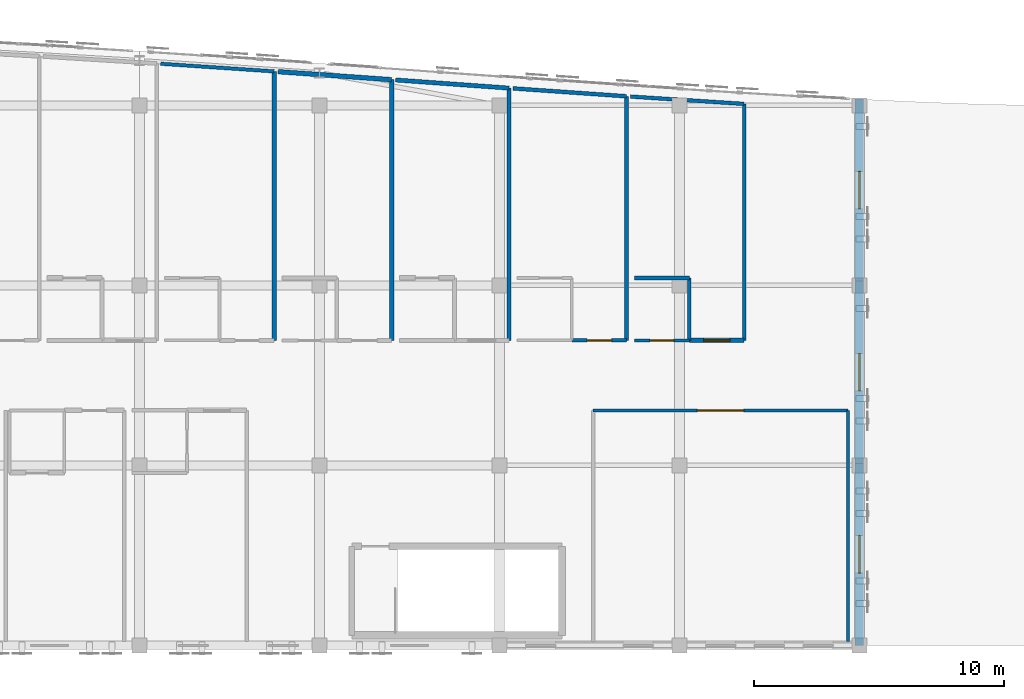
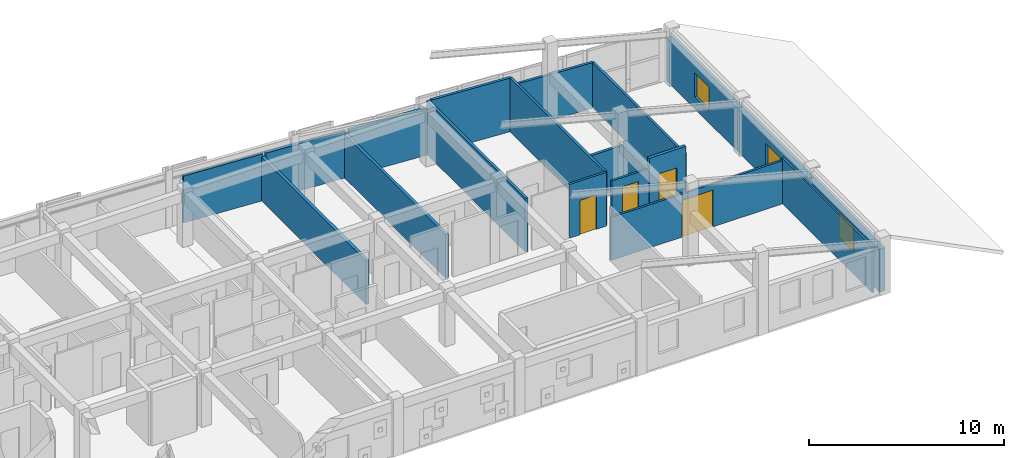
# One storey, part 41 of 45: 20 walls, 4 doors, 3 windows, 7 openings.
"""IFC4 building model written with IfcOpenShell, lengths in metres."""

import ifcopenshell
import ifcopenshell.guid

model = None  # the IFC model being written
_history = None  # IfcOwnerHistory: only IFC2X3 demands one
_inside = {}  # id of a spatial element -> (the spatial element, [elements in it])
_under = {}  # id of a project, library or spatial element -> (it, [spatial elements below it])
_declared = {}  # id of a project -> (the project, [libraries it declares])
_typed = {}  # id of a type object -> (the type object, [elements of that type])
_made_of = {}  # id of a material, layer set ... -> (it, [elements and type objects made of it])


def new_model(schema):
    """Start an empty IFC model of exactly this schema.

    Asked for "IFC4X3", IfcOpenShell would pick the latest addendum, in which some entities
    have other attributes; the version numbers below select the first issue.
    IFC2X3 requires an IfcOwnerHistory on every rooted entity: one is made here for all.
    """
    global model, _history
    if schema == "IFC4X3":
        model = ifcopenshell.file(schema_version=(4, 3, 0, 0))
    else:
        model = ifcopenshell.file(schema=schema)
    _inside.clear()
    _under.clear()
    _declared.clear()
    _typed.clear()
    _made_of.clear()
    _history = None
    if model.schema == "IFC2X3":
        org = make("IfcOrganization", Name="unknown")
        user = make(
            "IfcPersonAndOrganization",
            ThePerson=make("IfcPerson", FamilyName="unknown"),
            TheOrganization=org,
        )
        app = make(
            "IfcApplication",
            ApplicationDeveloper=org,
            Version="unknown",
            ApplicationFullName="unknown",
            ApplicationIdentifier="unknown",
        )
        _history = make(
            "IfcOwnerHistory",
            OwningUser=user,
            OwningApplication=app,
            ChangeAction="ADDED",
            CreationDate=0,
        )
    return model


def make(cls, **values):
    """One entity of the class cls with the attributes given. An attribute that is None is left unset."""
    return model.create_entity(
        cls, **{name: value for name, value in values.items() if value is not None}
    )


def rooted(cls, **values):
    """An entity with a GlobalId (a new one), such as an element, a storey or a relation."""
    return make(cls, GlobalId=ifcopenshell.guid.new(), OwnerHistory=_history, **values)


def si_unit(unit_type, name, prefix=None):
    """IfcSIUnit, for example si_unit("LENGTHUNIT", "METRE", prefix="MILLI")."""
    return make("IfcSIUnit", UnitType=unit_type, Prefix=prefix, Name=name)


def assignment(units):
    """IfcUnitAssignment: the units of a project."""
    return None if units is None else make("IfcUnitAssignment", Units=units)


def point(xyz):
    """IfcCartesianPoint."""
    return None if xyz is None else make("IfcCartesianPoint", Coordinates=xyz)


def direction(xyz):
    """IfcDirection."""
    return None if xyz is None else make("IfcDirection", DirectionRatios=xyz)


def frame(location, z_axis=None, x_axis=None):
    """IfcAxis2Placement3D, a coordinate frame: its origin and axes. An axis left out is left unset."""
    return make(
        "IfcAxis2Placement3D",
        Location=point(location),
        Axis=direction(z_axis),
        RefDirection=direction(x_axis),
    )


def frame_2d(location, x_axis=None):
    """IfcAxis2Placement2D, a coordinate frame in the plane: its origin and x axis."""
    return make(
        "IfcAxis2Placement2D", Location=point(location), RefDirection=direction(x_axis)
    )


def origin():
    """The frame at (0, 0, 0) with its axes left unset."""
    return frame((0.0, 0.0, 0.0))


def place(relative_to, where):
    """IfcLocalPlacement: puts the frame where relative to a parent placement (None: the world)."""
    return make(
        "IfcLocalPlacement", PlacementRelTo=relative_to, RelativePlacement=where
    )


def context(
    kind, dimensions, precision=None, world=None, true_north=None, identifier=None
):
    """IfcGeometricRepresentationContext, for example the 3D "Model" context."""
    return make(
        "IfcGeometricRepresentationContext",
        ContextIdentifier=identifier,
        ContextType=kind,
        CoordinateSpaceDimension=dimensions,
        Precision=precision,
        WorldCoordinateSystem=world,
        TrueNorth=true_north,
    )


def subcontext(parent, identifier, kind, view, scale=None):
    """IfcGeometricRepresentationSubContext, for example "Body" below "Model"."""
    return make(
        "IfcGeometricRepresentationSubContext",
        ContextIdentifier=identifier,
        ContextType=kind,
        ParentContext=parent,
        TargetScale=scale,
        TargetView=view,
    )


def project(units=None, contexts=None):
    """IfcProject with its units and contexts."""
    return rooted(
        "IfcProject",
        Name="project",
        RepresentationContexts=contexts,
        UnitsInContext=assignment(units),
    )


def spatial(cls, under=None, at=None, **own):
    """A site, building, storey or space (cls), placed at a placement, below another one or the project."""
    s = rooted(cls, ObjectPlacement=at, **own)
    if under is not None:
        _under.setdefault(under.id(), (under, []))[1].append(s)
    return s


def profile(cls, at=None, kind="AREA", **sizes):
    """A parametric profile (cls). Its sizes go by their IFC names, for example OverallWidth=200.0."""
    return make(cls, ProfileType=kind, Position=at, **sizes)


def rectangle(**sizes):
    """IfcRectangleProfileDef."""
    return profile("IfcRectangleProfileDef", **sizes)


def extrude(swept, where, along, depth):
    """IfcExtrudedAreaSolid: the profile swept, set in the frame where, extruded along a direction by depth."""
    return make(
        "IfcExtrudedAreaSolid",
        SweptArea=swept,
        Position=where,
        ExtrudedDirection=direction(along),
        Depth=depth,
    )


def shape(context_of_items, identifier, shape_type, items):
    """IfcShapeRepresentation: the items that make up one representation, for example the "Body"."""
    return make(
        "IfcShapeRepresentation",
        ContextOfItems=context_of_items,
        RepresentationIdentifier=identifier,
        RepresentationType=shape_type,
        Items=items,
    )


def material(Name=None, Category=None):
    """IfcMaterial."""
    return make("IfcMaterial", Name=Name, Category=Category)


def layer(
    of_material, thickness, ventilated=None, Name=None, Category=None, Priority=None
):
    """IfcMaterialLayer: one layer of a wall or slab, of a material (None: an air gap)."""
    return make(
        "IfcMaterialLayer",
        Material=of_material,
        LayerThickness=thickness,
        IsVentilated=ventilated,
        Name=Name,
        Category=Category,
        Priority=Priority,
    )


def layer_set(layers, Name=None):
    """IfcMaterialLayerSet."""
    return make("IfcMaterialLayerSet", MaterialLayers=layers, LayerSetName=Name)


def made_of(thing, what):
    """Note that an element or type object is made of a material, layer set ...; save() writes the relation."""
    if what is not None:
        _made_of.setdefault(what.id(), (what, []))[1].append(thing)
    return thing


def type_object(cls, material=None, **own):
    """A type object (cls), such as IfcWallType, which elements share."""
    return made_of(rooted(cls, **own), material)


def element(
    cls,
    number,
    at=None,
    inside=None,
    cuts=None,
    type_object=None,
    material=None,
    context=None,
    identifier="Body",
    shape_type=None,
    held_by="IfcProductDefinitionShape",
    body=None,
    shapes=None,
    **own,
):
    """One element of the class cls, such as IfcWall. Its Tag is "e" and its number.

    at: its placement. inside: the storey or other place that contains it. cuts: it is an
    opening in that element (IfcRelVoidsElement). A single representation is given by context,
    identifier, shape_type and body (its items); several are given by shapes. held_by: the class
    of the entity that holds the representations. save() writes the other relations.
    """
    e = rooted(cls, Tag="e%d" % number, ObjectPlacement=at, **own)
    if body is not None:
        shapes = [shape(context, identifier, shape_type, body)]
    if shapes is not None:
        e.Representation = make(held_by, Representations=shapes)
    if inside is not None:
        _inside.setdefault(inside.id(), (inside, []))[1].append(e)
    if cuts is not None:
        rooted(
            "IfcRelVoidsElement", RelatingBuildingElement=cuts, RelatedOpeningElement=e
        )
    if type_object is not None:
        _typed.setdefault(type_object.id(), (type_object, []))[1].append(e)
    return made_of(e, material)


def fill(opening, filler):
    """IfcRelFillsElement: the door or window that sits in an opening."""
    return rooted(
        "IfcRelFillsElement",
        RelatingOpeningElement=opening,
        RelatedBuildingElement=filler,
    )


def aggregate(whole, parts):
    """IfcRelAggregates: a whole, such as a stair, and the parts it consists of."""
    return rooted("IfcRelAggregates", RelatingObject=whole, RelatedObjects=parts)


def save(model, path):
    """Write the relations noted so far, then the file.

    IfcRelAggregates (storeys below a building ...), IfcRelContainedInSpatialStructure (elements
    in a storey), IfcRelDefinesByType, IfcRelAssociatesMaterial and IfcRelDeclares: one each for
    every whole, place, type object, material and project.
    """
    for whole, parts in _under.values():
        aggregate(whole, parts)
    for where, things in _inside.values():
        rooted(
            "IfcRelContainedInSpatialStructure",
            RelatedElements=things,
            RelatingStructure=where,
        )
    for kind, things in _typed.values():
        rooted("IfcRelDefinesByType", RelatedObjects=things, RelatingType=kind)
    for what, things in _made_of.values():
        rooted("IfcRelAssociatesMaterial", RelatedObjects=things, RelatingMaterial=what)
    for by, libraries in _declared.values():
        rooted("IfcRelDeclares", RelatingContext=by, RelatedDefinitions=libraries)
    model.write(path)


model = new_model("IFC4")

# Units and contexts
model_context = context("Model", 3, precision=1e-05, world=origin(), true_north=direction((0.0, 1.0)))
body_context = subcontext(model_context, "Body", "Model", "MODEL_VIEW")
ifc_project = project(units=[si_unit("LENGTHUNIT", "METRE"), si_unit("AREAUNIT", "SQUARE_METRE"), si_unit("VOLUMEUNIT", "CUBIC_METRE"), si_unit("PLANEANGLEUNIT", "RADIAN"), si_unit("MASSUNIT", "GRAM", prefix="KILO")], contexts=[model_context])

# Site, building, storey
site_placement = place(None, origin())
site = spatial("IfcSite", under=ifc_project, at=site_placement, CompositionType="ELEMENT")
building_placement = place(site_placement, origin())
building = spatial("IfcBuilding", under=site, at=building_placement, Name="Carrowvane Square Congress Hotel", CompositionType="ELEMENT")
storey_placement = place(building_placement, frame((0.0, 0.0, 33.60009765625)))
storey = spatial("IfcBuildingStorey", under=building, at=storey_placement, Name="L08", CompositionType="ELEMENT", Elevation=33.60009765625)

# Wall, opening, window
ifc_material_1 = material(Name="Glazed terracotta rainscreen", Category="masonry")
ifc_layer_1 = layer(ifc_material_1, 0.330078125)
ifc_layer_set_1 = layer_set([ifc_layer_1], Name="Glazed terracotta rainscreen")
wall_type_1 = type_object("IfcWallType", Name="WL-EXT-TC330", PredefinedType="STANDARD", material=ifc_layer_set_1)
wall_1_placement = place(storey_placement, frame((155.60009765625, 113.65283203125, 0.0), z_axis=(0.0, 0.0, 1.0), x_axis=(0.0, -1.0, 0.0)))
wall_1 = element("IfcWall", 1, at=wall_1_placement, inside=storey, type_object=wall_type_1, Name="L08 exterior facade wall 537", PredefinedType="STANDARD", context=body_context, shape_type="SweptSolid", body=[
    extrude(rectangle(XDim=7.284423828125, YDim=0.330078125, at=frame_2d((3.64208984375, 0.0))), origin(), (0.0, 0.0, 1.0), 2.69482421875),
])
opening_1_placement = place(wall_1_placement, frame((2.89208984375, 0.0, 0.75)))
opening_1 = element("IfcOpeningElement", 2, at=opening_1_placement, cuts=wall_1, Name="Opening W-15", PredefinedType="OPENING", context=body_context, shape_type="SweptSolid", body=[
    extrude(rectangle(XDim=1.5, YDim=1.5, at=frame_2d((0.75, 0.75))), frame((0.0, 0.175048828125, 0.0), z_axis=(0.0, -1.0, 0.0), x_axis=(1.0, 0.0, 0.0)), (0.0, 0.0, 1.0), 0.35009765625),
])
ifc_material_2 = material(Name="Double-glazed low-E glass", Category="glass")
window_type = type_object("IfcWindowType", Name="WIN-15", PartitioningType="SINGLE_PANEL", PredefinedType="WINDOW", material=ifc_material_2)
window_1_placement = place(opening_1_placement, origin())
window_1 = element("IfcWindow", 3, at=window_1_placement, inside=storey, type_object=window_type, Name="L08 facade window 374", OverallHeight=1.5, OverallWidth=1.5, PartitioningType="SINGLE_PANEL", PredefinedType="WINDOW", context=body_context, shape_type="SweptSolid", body=[
    extrude(rectangle(XDim=1.5, YDim=1.5, at=frame_2d((0.75, 0.75))), frame((0.0, 0.030029296875, 0.0), z_axis=(0.0, -1.0, 0.0), x_axis=(1.0, 0.0, 0.0)), (0.0, 0.0, 1.0), 0.06005859375),
])
fill(opening_1, window_1)

wall_2_placement = place(storey_placement, frame((155.60009765625, 106.368408203125, 0.0), z_axis=(0.0, 0.0, 1.0), x_axis=(0.0, -1.0, 0.0)))
wall_2 = element("IfcWall", 4, at=wall_2_placement, inside=storey, type_object=wall_type_1, Name="L08 exterior facade wall 538", PredefinedType="STANDARD", context=body_context, shape_type="SweptSolid", body=[
    extrude(rectangle(XDim=7.2841796875, YDim=0.330078125, at=frame_2d((3.64208984375, 0.0))), origin(), (0.0, 0.0, 1.0), 2.69482421875),
])
opening_2_placement = place(wall_2_placement, frame((2.89208984375, 0.0, 0.75)))
opening_2 = element("IfcOpeningElement", 5, at=opening_2_placement, cuts=wall_2, Name="Opening W-15", PredefinedType="OPENING", context=body_context, shape_type="SweptSolid", body=[
    extrude(rectangle(XDim=1.5, YDim=1.5, at=frame_2d((0.75, 0.75))), frame((0.0, 0.175048828125, 0.0), z_axis=(0.0, -1.0, 0.0), x_axis=(1.0, 0.0, 0.0)), (0.0, 0.0, 1.0), 0.35009765625),
])
window_2_placement = place(opening_2_placement, origin())
window_2 = element("IfcWindow", 6, at=window_2_placement, inside=storey, type_object=window_type, Name="L08 facade window 375", OverallHeight=1.5, OverallWidth=1.5, PartitioningType="SINGLE_PANEL", PredefinedType="WINDOW", context=body_context, shape_type="SweptSolid", body=[
    extrude(rectangle(XDim=1.5, YDim=1.5, at=frame_2d((0.75, 0.75))), frame((0.0, 0.030029296875, 0.0), z_axis=(0.0, -1.0, 0.0), x_axis=(1.0, 0.0, 0.0)), (0.0, 0.0, 1.0), 0.06005859375),
])
fill(opening_2, window_2)

wall_3_placement = place(storey_placement, frame((155.60009765625, 99.084228515625, 0.0), z_axis=(0.0, 0.0, 1.0), x_axis=(0.0, -1.0, 0.0)))
wall_3 = element("IfcWall", 7, at=wall_3_placement, inside=storey, type_object=wall_type_1, Name="L08 exterior facade wall 539", PredefinedType="STANDARD", context=body_context, shape_type="SweptSolid", body=[
    extrude(rectangle(XDim=7.2841796875, YDim=0.330078125, at=frame_2d((3.64208984375, 0.0))), origin(), (0.0, 0.0, 1.0), 2.69482421875),
])
opening_3_placement = place(wall_3_placement, frame((2.89208984375, 0.0, 0.75)))
opening_3 = element("IfcOpeningElement", 8, at=opening_3_placement, cuts=wall_3, Name="Opening W-15", PredefinedType="OPENING", context=body_context, shape_type="SweptSolid", body=[
    extrude(rectangle(XDim=1.5, YDim=1.5, at=frame_2d((0.75, 0.75))), frame((0.0, 0.175048828125, 0.0), z_axis=(0.0, -1.0, 0.0), x_axis=(1.0, 0.0, 0.0)), (0.0, 0.0, 1.0), 0.35009765625),
])
window_3_placement = place(opening_3_placement, origin())
window_3 = element("IfcWindow", 9, at=window_3_placement, inside=storey, type_object=window_type, Name="L08 facade window 376", OverallHeight=1.5, OverallWidth=1.5, PartitioningType="SINGLE_PANEL", PredefinedType="WINDOW", context=body_context, shape_type="SweptSolid", body=[
    extrude(rectangle(XDim=1.5, YDim=1.5, at=frame_2d((0.75, 0.75))), frame((0.0, 0.030029296875, 0.0), z_axis=(0.0, -1.0, 0.0), x_axis=(1.0, 0.0, 0.0)), (0.0, 0.0, 1.0), 0.06005859375),
])
fill(opening_3, window_3)

# Walls
ifc_material_3 = material(Name="Acoustic gypsum board", Category="gypsum")
ifc_layer_2 = layer(ifc_material_3, 0.155029296875)
ifc_layer_set_2 = layer_set([ifc_layer_2], Name="Acoustic gypsum board")
wall_type_2 = type_object("IfcWallType", Name="WL-FIR-155", PredefinedType="PARTITIONING", material=ifc_layer_set_2)
wall_4_placement = place(storey_placement, frame((141.590087890625, 114.09375, 0.0), z_axis=(0.0, 0.0, 1.0), x_axis=(0.0, -1.0, 0.0)))
element("IfcWall", 10, at=wall_4_placement, inside=storey, type_object=wall_type_2, Name="L08 Parkview Guest Bedroom 0825 partition", PredefinedType="PARTITIONING", context=body_context, shape_type="SweptSolid", body=[
    extrude(rectangle(XDim=10.09375, YDim=0.155029296875, at=frame_2d((5.046875, 0.0))), origin(), (0.0, 0.0, 1.0), 3.35986328125),
])
wall_5_placement = place(storey_placement, frame((141.75, 114.082275390625, 0.0), z_axis=(0.0, 0.0, 1.0), x_axis=(0.997584014239, -0.069470386021, 0.0)))
element("IfcWall", 11, at=wall_5_placement, inside=storey, type_object=wall_type_2, Name="L08 Parkview Guest Bedroom 0826 partition", PredefinedType="PARTITIONING", context=body_context, shape_type="SweptSolid", body=[
    extrude(rectangle(XDim=4.551025390625, YDim=0.155029296875, at=frame_2d((2.275390625, 0.0))), origin(), (0.0, 0.0, 1.0), 3.35986328125),
])
ifc_material_4 = material(Name="Acoustic gypsum board", Category="gypsum")
ifc_layer_3 = layer(ifc_material_4, 0.169921875)
ifc_layer_set_3 = layer_set([ifc_layer_3], Name="Acoustic gypsum board")
wall_type_3 = type_object("IfcWallType", Name="WL-FIR-170", PredefinedType="PARTITIONING", material=ifc_layer_set_3)
wall_6_placement = place(storey_placement, frame((136.889892578125, 114.43017578125, 0.0), z_axis=(0.0, 0.0, 1.0), x_axis=(0.0, -1.0, 0.0)))
element("IfcWall", 12, at=wall_6_placement, inside=storey, type_object=wall_type_3, Name="L08 Parkview Guest Bedroom 0824 partition", PredefinedType="PARTITIONING", context=body_context, shape_type="SweptSolid", body=[
    extrude(rectangle(XDim=10.43017578125, YDim=0.169921875, at=frame_2d((5.215087890625, 0.0))), origin(), (0.0, 0.0, 1.0), 2.744873046875),
])
wall_7_placement = place(storey_placement, frame((137.050048828125, 114.418701171875, 0.0), z_axis=(0.0, 0.0, 1.0), x_axis=(0.997448342938, -0.071391898497, 0.0)))
element("IfcWall", 13, at=wall_7_placement, inside=storey, type_object=wall_type_3, Name="L08 Parkview Guest Bedroom 0825 partition", PredefinedType="PARTITIONING", context=body_context, shape_type="SweptSolid", body=[
    extrude(rectangle(XDim=4.5517578125, YDim=0.169921875, at=frame_2d((2.27587890625, 0.0))), origin(), (0.0, 0.0, 1.0), 2.935546875),
])
ifc_material_5 = material(Name="Acoustic gypsum board", Category="gypsum")
ifc_layer_4 = layer(ifc_material_5, 0.18505859375)
ifc_layer_set_4 = layer_set([ifc_layer_4], Name="Acoustic gypsum board")
wall_type_4 = type_object("IfcWallType", Name="WL-FIR-185", PredefinedType="PARTITIONING", material=ifc_layer_set_4)
wall_8_placement = place(storey_placement, frame((132.18994140625, 114.762451171875, 0.0), z_axis=(0.0, 0.0, 1.0), x_axis=(0.0, -1.0, 0.0)))
element("IfcWall", 14, at=wall_8_placement, inside=storey, type_object=wall_type_4, Name="L08 Parkview Guest Bedroom 0823 partition", PredefinedType="PARTITIONING", context=body_context, shape_type="SweptSolid", body=[
    extrude(rectangle(XDim=10.762451171875, YDim=0.18505859375, at=frame_2d((5.38134765625, 0.0))), origin(), (0.0, 0.0, 1.0), 2.744873046875),
])
wall_9_placement = place(storey_placement, frame((132.35009765625, 114.751220703125, 0.0), z_axis=(0.0, 0.0, 1.0), x_axis=(0.997508826773, -0.070541764303, 0.0)))
element("IfcWall", 15, at=wall_9_placement, inside=storey, type_object=wall_type_4, Name="L08 Parkview Guest Bedroom 0824 partition", PredefinedType="PARTITIONING", context=body_context, shape_type="SweptSolid", body=[
    extrude(rectangle(XDim=4.551025390625, YDim=0.18505859375, at=frame_2d((2.275390625, 0.0))), origin(), (0.0, 0.0, 1.0), 2.935546875),
])

# Wall, opening, door
wall_10_placement = place(storey_placement, frame((150.989990234375, 104.0, 0.0), z_axis=(0.0, 0.0, 1.0), x_axis=(-1.0, 0.0, 0.0)))
wall_10 = element("IfcWall", 16, at=wall_10_placement, inside=storey, type_object=wall_type_4, Name="L08 Parkview Guest Bedroom 0827 partition", PredefinedType="PARTITIONING", context=body_context, shape_type="SweptSolid", body=[
    extrude(rectangle(XDim=2.179931640625, YDim=0.18505859375, at=frame_2d((1.08984375, 0.0))), origin(), (0.0, 0.0, 1.0), 3.35986328125),
])
opening_4_placement = place(wall_10_placement, frame((0.56005859375, 0.0, 0.0)))
opening_4 = element("IfcOpeningElement", 17, at=opening_4_placement, cuts=wall_10, Name="Opening FD-09", PredefinedType="OPENING", context=body_context, shape_type="SweptSolid", body=[
    extrude(rectangle(XDim=1.06005859375, YDim=2.199951171875, at=frame_2d((0.530029296875, 1.10009765625))), frame((0.0, 0.1025390625, 0.0), z_axis=(0.0, -1.0, 0.0), x_axis=(1.0, 0.0, 0.0)), (0.0, 0.0, 1.0), 0.205078125),
])
ifc_material_6 = material(Name="European oak timber", Category="wood")
door_type_1 = type_object("IfcDoorType", Name="DR-FD30-1060x2200", OperationType="NOTDEFINED", PredefinedType="DOOR", material=ifc_material_6)
door_1_placement = place(opening_4_placement, origin())
door_1 = element("IfcDoor", 18, at=door_1_placement, inside=storey, type_object=door_type_1, Name="L08 Parkview Guest Bedroom 0827 entrance door", OperationType="SINGLE_SWING_RIGHT", OverallHeight=2.199951171875, OverallWidth=1.06005859375, PredefinedType="DOOR", context=body_context, shape_type="SweptSolid", body=[
    extrude(rectangle(XDim=1.06005859375, YDim=2.199951171875, at=frame_2d((0.530029296875, 1.10009765625))), frame((0.0, 0.02490234375, 0.0), z_axis=(0.0, -1.0, 0.0), x_axis=(1.0, 0.0, 0.0)), (0.0, 0.0, 1.0), 0.050048828125),
])
fill(opening_4, door_1)

# Wall
ifc_material_7 = material(Name="Acoustic gypsum board", Category="gypsum")
ifc_layer_5 = layer(ifc_material_7, 0.117919921875)
ifc_layer_set_5 = layer_set([ifc_layer_5], Name="Acoustic gypsum board")
wall_type_5 = type_object("IfcWallType", Name="WL-PRT-118", PredefinedType="PARTITIONING", material=ifc_layer_set_5)
wall_11_placement = place(storey_placement, frame((155.14990234375, 101.199951171875, 0.0), z_axis=(0.0, 0.0, 1.0), x_axis=(0.0, -1.0, 0.0)))
element("IfcWall", 19, at=wall_11_placement, inside=storey, type_object=wall_type_5, Name="L08 L08 East Terrace Lounge partition", PredefinedType="PARTITIONING", context=body_context, shape_type="SweptSolid", body=[
    extrude(rectangle(XDim=9.239990234375, YDim=0.117919921875, at=frame_2d((4.6201171875, 0.0))), origin(), (0.0, 0.0, 1.0), 2.860107421875),
])

# Wall, opening, door
ifc_material_8 = material(Name="Acoustic gypsum board", Category="gypsum")
ifc_layer_6 = layer(ifc_material_8, 0.1279296875)
ifc_layer_set_6 = layer_set([ifc_layer_6], Name="Acoustic gypsum board")
wall_type_6 = type_object("IfcWallType", Name="WL-PRT-128", PredefinedType="PARTITIONING", material=ifc_layer_set_6)
wall_12_placement = place(storey_placement, frame((144.949951171875, 101.199951171875, 0.0), z_axis=(0.0, 0.0, 1.0), x_axis=(1.0, 0.0, 0.0)))
wall_12 = element("IfcWall", 20, at=wall_12_placement, inside=storey, type_object=wall_type_6, Name="L08 L08 East Terrace Lounge partition", PredefinedType="PARTITIONING", context=body_context, shape_type="SweptSolid", body=[
    extrude(rectangle(XDim=10.199951171875, YDim=0.1279296875, at=frame_2d((5.10009765625, 0.0))), origin(), (0.0, 0.0, 1.0), 2.69482421875),
])
opening_5_placement = place(wall_12_placement, frame((4.175048828125, 0.0, 0.0)))
opening_5 = element("IfcOpeningElement", 21, at=opening_5_placement, cuts=wall_12, Name="Opening ID-13", PredefinedType="OPENING", context=body_context, shape_type="SweptSolid", body=[
    extrude(rectangle(XDim=1.85009765625, YDim=2.300048828125, at=frame_2d((0.925048828125, 1.14990234375))), frame((0.0, 0.073974609375, 0.0), z_axis=(0.0, -1.0, 0.0), x_axis=(1.0, 0.0, 0.0)), (0.0, 0.0, 1.0), 0.14794921875),
])
ifc_material_9 = material(Name="European oak timber", Category="wood")
door_type_2 = type_object("IfcDoorType", Name="DR-INT-1850x2300", OperationType="DOUBLE_DOOR_SINGLE_SWING", PredefinedType="DOOR", material=ifc_material_9)
door_2_placement = place(opening_5_placement, origin())
door_2 = element("IfcDoor", 22, at=door_2_placement, inside=storey, type_object=door_type_2, Name="L08 L08 East Terrace Lounge entrance door", OperationType="DOUBLE_DOOR_SINGLE_SWING", OverallHeight=2.300048828125, OverallWidth=1.85009765625, PredefinedType="DOOR", context=body_context, shape_type="SweptSolid", body=[
    extrude(rectangle(XDim=1.85009765625, YDim=2.300048828125, at=frame_2d((0.925048828125, 1.14990234375))), frame((0.0, 0.02490234375, 0.0), z_axis=(0.0, -1.0, 0.0), x_axis=(1.0, 0.0, 0.0)), (0.0, 0.0, 1.0), 0.050048828125),
])
fill(opening_5, door_2)

wall_13_placement = place(storey_placement, frame((148.800048828125, 104.0, 0.0), z_axis=(0.0, 0.0, 1.0), x_axis=(-1.0, 0.0, 0.0)))
wall_13 = element("IfcWall", 23, at=wall_13_placement, inside=storey, type_object=wall_type_6, Name="L08 En-suite Bathroom 0827 partition", PredefinedType="PARTITIONING", context=body_context, shape_type="SweptSolid", body=[
    extrude(rectangle(XDim=2.199951171875, YDim=0.1279296875, at=frame_2d((1.10009765625, 0.0))), origin(), (0.0, 0.0, 1.0), 2.69482421875),
])
opening_6_placement = place(wall_13_placement, frame((0.6298828125, 0.0, 0.0)))
opening_6 = element("IfcOpeningElement", 24, at=opening_6_placement, cuts=wall_13, Name="Opening ID-04", PredefinedType="OPENING", context=body_context, shape_type="SweptSolid", body=[
    extrude(rectangle(XDim=0.93994140625, YDim=2.1201171875, at=frame_2d((0.469970703125, 1.06005859375))), frame((0.0, 0.073974609375, 0.0), z_axis=(0.0, -1.0, 0.0), x_axis=(1.0, 0.0, 0.0)), (0.0, 0.0, 1.0), 0.14794921875),
])
ifc_material_10 = material(Name="European oak timber", Category="wood")
door_type_3 = type_object("IfcDoorType", Name="DR-INT-0940x2120", OperationType="NOTDEFINED", PredefinedType="DOOR", material=ifc_material_10)
door_3_placement = place(opening_6_placement, origin())
door_3 = element("IfcDoor", 25, at=door_3_placement, inside=storey, type_object=door_type_3, Name="L08 En-suite Bathroom 0827 door", OperationType="SINGLE_SWING_LEFT", OverallHeight=2.1201171875, OverallWidth=0.93994140625, PredefinedType="DOOR", context=body_context, shape_type="SweptSolid", body=[
    extrude(rectangle(XDim=0.93994140625, YDim=2.1201171875, at=frame_2d((0.469970703125, 1.06005859375))), frame((0.0, 0.02490234375, 0.0), z_axis=(0.0, -1.0, 0.0), x_axis=(1.0, 0.0, 0.0)), (0.0, 0.0, 1.0), 0.050048828125),
])
fill(opening_6, door_3)

# Wall
ifc_material_11 = material(Name="Acoustic gypsum board", Category="gypsum")
ifc_layer_7 = layer(ifc_material_11, 0.137939453125)
ifc_layer_set_7 = layer_set([ifc_layer_7], Name="Acoustic gypsum board")
wall_type_7 = type_object("IfcWallType", Name="WL-PRT-138", PredefinedType="PARTITIONING", material=ifc_layer_set_7)
wall_14_placement = place(storey_placement, frame((127.64990234375, 115.068603515625, 0.0), z_axis=(0.0, 0.0, 1.0), x_axis=(0.997734062526, -0.06728105584, 0.0)))
element("IfcWall", 26, at=wall_14_placement, inside=storey, type_object=wall_type_7, Name="L08 Parkview Guest Bedroom 0823 partition", PredefinedType="PARTITIONING", context=body_context, shape_type="SweptSolid", body=[
    extrude(rectangle(XDim=4.55029296875, YDim=0.137939453125, at=frame_2d((2.275146484375, 0.0))), origin(), (0.0, 0.0, 1.0), 2.935546875),
])

# Wall, opening, door
wall_15_placement = place(storey_placement, frame((146.2900390625, 104.0, 0.0), z_axis=(0.0, 0.0, 1.0), x_axis=(-1.0, 0.0, 0.0)))
wall_15 = element("IfcWall", 27, at=wall_15_placement, inside=storey, type_object=wall_type_7, Name="L08 Parkview Guest Bedroom 0826 partition", PredefinedType="PARTITIONING", context=body_context, shape_type="SweptSolid", body=[
    extrude(rectangle(XDim=2.179931640625, YDim=0.137939453125, at=frame_2d((1.08984375, 0.0))), origin(), (0.0, 0.0, 1.0), 3.35986328125),
])
opening_7_placement = place(wall_15_placement, frame((0.60009765625, 0.0, 0.0)))
opening_7 = element("IfcOpeningElement", 28, at=opening_7_placement, cuts=wall_15, Name="Opening FD-07", PredefinedType="OPENING", context=body_context, shape_type="SweptSolid", body=[
    extrude(rectangle(XDim=0.97998046875, YDim=2.14990234375, at=frame_2d((0.489990234375, 1.074951171875))), frame((0.0, 0.078857421875, 0.0), z_axis=(0.0, -1.0, 0.0), x_axis=(1.0, 0.0, 0.0)), (0.0, 0.0, 1.0), 0.157958984375),
])
ifc_material_12 = material(Name="European oak timber", Category="wood")
door_type_4 = type_object("IfcDoorType", Name="DR-FD30-0980x2150", OperationType="NOTDEFINED", PredefinedType="DOOR", material=ifc_material_12)
door_4_placement = place(opening_7_placement, origin())
door_4 = element("IfcDoor", 29, at=door_4_placement, inside=storey, type_object=door_type_4, Name="L08 Parkview Guest Bedroom 0826 entrance door", OperationType="SINGLE_SWING_RIGHT", OverallHeight=2.14990234375, OverallWidth=0.97998046875, PredefinedType="DOOR", context=body_context, shape_type="SweptSolid", body=[
    extrude(rectangle(XDim=0.97998046875, YDim=2.14990234375, at=frame_2d((0.489990234375, 1.074951171875))), frame((0.0, 0.02490234375, 0.0), z_axis=(0.0, -1.0, 0.0), x_axis=(1.0, 0.0, 0.0)), (0.0, 0.0, 1.0), 0.050048828125),
])
fill(opening_7, door_4)

# Walls
wall_16_placement = place(storey_placement, frame((148.800048828125, 106.5, 0.0), z_axis=(0.0, 0.0, 1.0), x_axis=(0.0, -1.0, 0.0)))
element("IfcWall", 30, at=wall_16_placement, inside=storey, type_object=wall_type_7, Name="L08 En-suite Bathroom 0827 partition", PredefinedType="PARTITIONING", context=body_context, shape_type="SweptSolid", body=[
    extrude(rectangle(XDim=2.5, YDim=0.137939453125, at=frame_2d((1.25, 0.0))), origin(), (0.0, 0.0, 1.0), 2.860107421875),
])
wall_17_placement = place(storey_placement, frame((150.989990234375, 113.4619140625, 0.0), z_axis=(0.0, 0.0, 1.0), x_axis=(0.0, -1.0, 0.0)))
element("IfcWall", 31, at=wall_17_placement, inside=storey, type_object=wall_type_7, Name="L08 Parkview Guest Bedroom 0827 partition", PredefinedType="PARTITIONING", context=body_context, shape_type="SweptSolid", body=[
    extrude(rectangle(XDim=9.4619140625, YDim=0.137939453125, at=frame_2d((4.73095703125, 0.0))), origin(), (0.0, 0.0, 1.0), 2.860107421875),
])
ifc_material_13 = material(Name="Acoustic gypsum board", Category="gypsum")
ifc_layer_8 = layer(ifc_material_13, 0.14794921875)
ifc_layer_set_8 = layer_set([ifc_layer_8], Name="Acoustic gypsum board")
wall_type_8 = type_object("IfcWallType", Name="WL-PRT-148", PredefinedType="PARTITIONING", material=ifc_layer_set_8)
wall_18_placement = place(storey_placement, frame((146.2900390625, 113.76611328125, 0.0), z_axis=(0.0, 0.0, 1.0), x_axis=(0.0, -1.0, 0.0)))
element("IfcWall", 32, at=wall_18_placement, inside=storey, type_object=wall_type_8, Name="L08 Parkview Guest Bedroom 0826 partition", PredefinedType="PARTITIONING", context=body_context, shape_type="SweptSolid", body=[
    extrude(rectangle(XDim=9.76611328125, YDim=0.14794921875, at=frame_2d((4.883056640625, 0.0))), origin(), (0.0, 0.0, 1.0), 3.35986328125),
])
wall_19_placement = place(storey_placement, frame((146.60009765625, 106.5, 0.0), z_axis=(0.0, 0.0, 1.0), x_axis=(1.0, 0.0, 0.0)))
element("IfcWall", 33, at=wall_19_placement, inside=storey, type_object=wall_type_8, Name="L08 En-suite Bathroom 0827 partition", PredefinedType="PARTITIONING", context=body_context, shape_type="SweptSolid", body=[
    extrude(rectangle(XDim=2.199951171875, YDim=0.14794921875, at=frame_2d((1.10009765625, 0.0))), origin(), (0.0, 0.0, 1.0), 2.69482421875),
])
wall_20_placement = place(storey_placement, frame((146.449951171875, 113.75537109375, 0.0), z_axis=(0.0, 0.0, 1.0), x_axis=(0.997917516364, -0.06450294981, 0.0)))
element("IfcWall", 34, at=wall_20_placement, inside=storey, type_object=wall_type_8, Name="L08 Parkview Guest Bedroom 0827 partition", PredefinedType="PARTITIONING", context=body_context, shape_type="SweptSolid", body=[
    extrude(rectangle(XDim=4.549560546875, YDim=0.14794921875, at=frame_2d((2.27490234375, 0.0))), origin(), (0.0, 0.0, 1.0), 2.860107421875),
])

save(model, "model.ifc")
